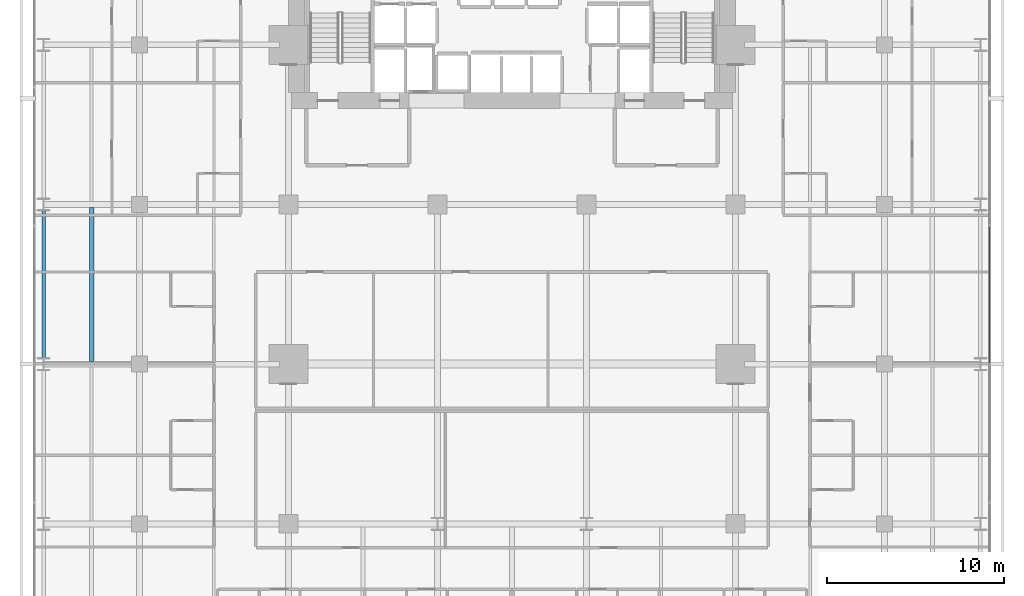
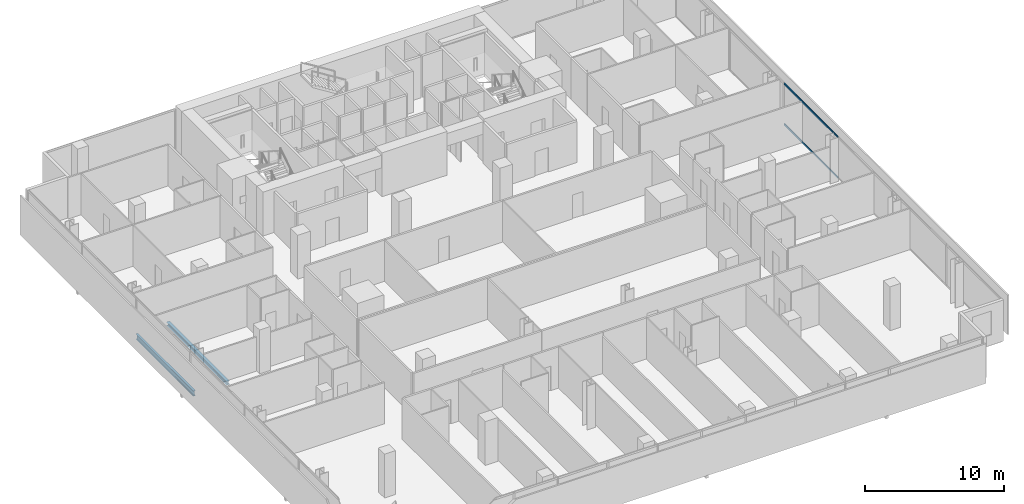
# One storey, part 20 of 39: 2 beams, 2 members, 1 element without a shape of its own.
"""IFC4 building model written with IfcOpenShell, lengths in metres."""

from ifc_helpers import new_model, si_unit, direction, frame, origin, origin_2d, place, context, subcontext, project, spatial, hollow_rectangle, i_section, extrude, material, layer, layer_set, material_profile, profile_set, type_object, element, aggregate, save


model = new_model("IFC4")

# Units and contexts
model_context = context("Model", 3, precision=1e-05, world=origin(), true_north=direction((0.0, 1.0)))
body_context = subcontext(model_context, "Body", "Model", "MODEL_VIEW")
ifc_project = project(units=[si_unit("LENGTHUNIT", "METRE"), si_unit("AREAUNIT", "SQUARE_METRE"), si_unit("VOLUMEUNIT", "CUBIC_METRE"), si_unit("PLANEANGLEUNIT", "RADIAN"), si_unit("MASSUNIT", "GRAM", prefix="KILO")], contexts=[model_context])

# Site, building, storey
site_placement = place(None, origin())
site = spatial("IfcSite", under=ifc_project, at=site_placement, CompositionType="ELEMENT")
building_placement = place(site_placement, origin())
building = spatial("IfcBuilding", under=site, at=building_placement, Name="Maruvema Waterfront Hotel and Observation Tower", CompositionType="ELEMENT")
storey_placement = place(building_placement, frame((0.0, 0.0, 46.199951171875)))
storey = spatial("IfcBuildingStorey", under=building, at=storey_placement, Name="L10", CompositionType="ELEMENT", Elevation=46.199951171875)

# Curtain wall, members
ifc_material_1 = material(Name="Anodised bronze aluminium and solar-control low-E IGU", Category="aluminium")
ifc_layer = layer(ifc_material_1, 0.159912109375, Name="Zone 1 Bronze Inner Thermal Curtain Wall System CW-02")
ifc_layer_set = layer_set([ifc_layer], Name="Anodised bronze aluminium and solar-control low-E IGU")
curtain_wall_type = type_object("IfcCurtainWallType", Name="Zone 1 Bronze Inner Thermal Curtain Wall System CW-02", PredefinedType="USERDEFINED", material=ifc_layer_set)
curtain_wall_placement = place(storey_placement, origin())
curtain_wall = element("IfcCurtainWall", 1, at=curtain_wall_placement, inside=storey, type_object=curtain_wall_type, Name="L10 Curtain Wall CW-L10-E", ObjectType="UNITISED CURTAIN WALL", PredefinedType="USERDEFINED")
ifc_material_2 = material(Name="Anodised architectural bronze aluminium", Category="aluminium")
ifc_material_profile_1 = material_profile(ifc_material_2, hollow_rectangle(XDim=0.070068359375, YDim=0.14990234375, WallThickness=0.00390625, at=origin_2d()), Name="ALU-T70x150")
ifc_profile_set_1 = profile_set([ifc_material_profile_1], Name="Anodised architectural bronze aluminium")
member_type = type_object("IfcMemberType", Name="Curtain Wall Horizontal Transom ALU-T70x150", PredefinedType="USERDEFINED", material=ifc_profile_set_1)
member_1_placement = place(storey_placement, frame((64.719970703125, 27.030029296875, 0.030029296875), z_axis=(0.0, 1.0, 0.0), x_axis=(-1.0, 0.0, 0.0)))
member_1 = element("IfcMember", 2, at=member_1_placement, type_object=member_type, Name="CW-02 transom 4.1", ObjectType="TRANSOM", PredefinedType="USERDEFINED", context=body_context, shape_type="SweptSolid", body=[
    extrude(hollow_rectangle(XDim=0.070068359375, YDim=0.14990234375, WallThickness=0.00390625, at=origin_2d()), origin(), (0.0, 0.0, 1.0), 7.739990234375),
])
member_2_placement = place(storey_placement, frame((64.719970703125, 27.030029296875, 3.580078125), z_axis=(0.0, 1.0, 0.0), x_axis=(-1.0, 0.0, 0.0)))
member_2 = element("IfcMember", 3, at=member_2_placement, type_object=member_type, Name="CW-02 transom 4.2", ObjectType="TRANSOM", PredefinedType="USERDEFINED", context=body_context, shape_type="SweptSolid", body=[
    extrude(hollow_rectangle(XDim=0.070068359375, YDim=0.14990234375, WallThickness=0.00390625, at=origin_2d()), origin(), (0.0, 0.0, 1.0), 7.739990234375),
])
aggregate(curtain_wall, [member_1, member_2])

# Beams
ifc_material_3 = material(Name="Steel ASTM A572 Grade 50", Category="steel")
ifc_material_profile_2 = material_profile(ifc_material_3, i_section(OverallWidth=0.18994140625, OverallDepth=0.45703125, WebThickness=0.009033203125, FlangeThickness=0.014404296875, FilletRadius=0.014892578125, at=origin_2d()), Name="W460x74.0")
ifc_profile_set_2 = profile_set([ifc_material_profile_2], Name="Steel ASTM A572 Grade 50")
beam_type_1 = type_object("IfcBeamType", Name="Perimeter Spandrel Beam W460x74.0", PredefinedType="SPANDREL", material=ifc_profile_set_2)
beam_1_placement = place(storey_placement, frame((11.39990234375, 27.35009765625, -0.468505859375), z_axis=(0.0, 1.0, 0.0), x_axis=(-1.0, 0.0, 0.0)))
element("IfcBeam", 4, at=beam_1_placement, inside=storey, type_object=beam_type_1, Name="L10 Floor Girder NS-03", PredefinedType="SPANDREL", context=body_context, shape_type="SweptSolid", body=[
    extrude(i_section(OverallWidth=0.18994140625, OverallDepth=0.45703125, WebThickness=0.009033203125, FlangeThickness=0.014404296875, FilletRadius=0.014892578125, at=origin_2d()), origin(), (0.0, 0.0, 1.0), 8.2998046875),
])
ifc_material_4 = material(Name="Steel ASTM A572 Grade 50", Category="steel")
ifc_material_profile_3 = material_profile(ifc_material_4, i_section(OverallWidth=0.25390625, OverallDepth=0.305908203125, WebThickness=0.0087890625, FlangeThickness=0.0146484375, FilletRadius=0.014892578125, at=origin_2d()), Name="W310x79.0")
ifc_profile_set_3 = profile_set([ifc_material_profile_3], Name="Steel ASTM A572 Grade 50")
beam_type_2 = type_object("IfcBeamType", Name="Secondary Floor Joist W310x79.0", PredefinedType="JOIST", material=ifc_profile_set_3)
beam_2_placement = place(storey_placement, frame((14.10009765625, 27.16357421875, -0.39306640625), z_axis=(0.0, 1.0, 0.0), x_axis=(-1.0, 0.0, 0.0)))
element("IfcBeam", 5, at=beam_2_placement, inside=storey, type_object=beam_type_2, Name="L10 Secondary Floor Joist JS-03", PredefinedType="JOIST", context=body_context, shape_type="SweptSolid", body=[
    extrude(i_section(OverallWidth=0.25390625, OverallDepth=0.305908203125, WebThickness=0.0087890625, FlangeThickness=0.0146484375, FilletRadius=0.014892578125, at=origin_2d()), origin(), (0.0, 0.0, 1.0), 8.6728515625),
])

save(model, "model.ifc")
